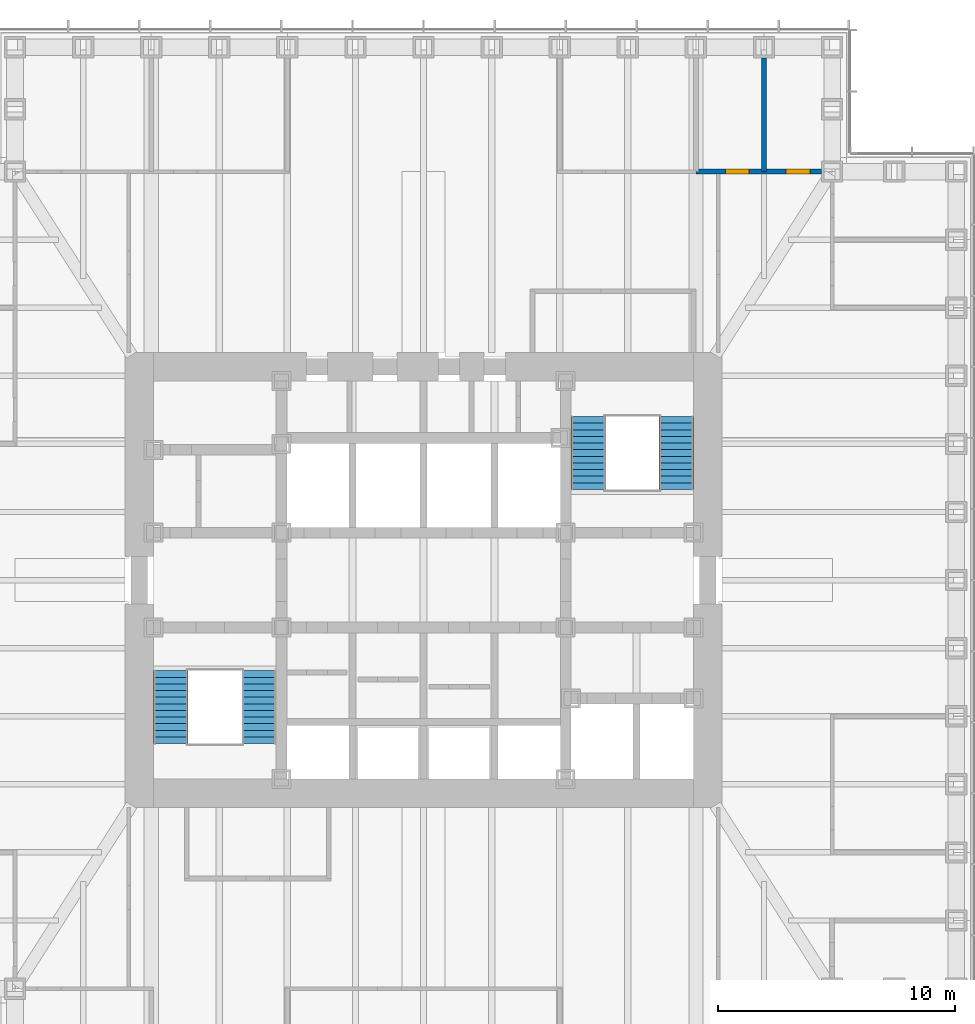
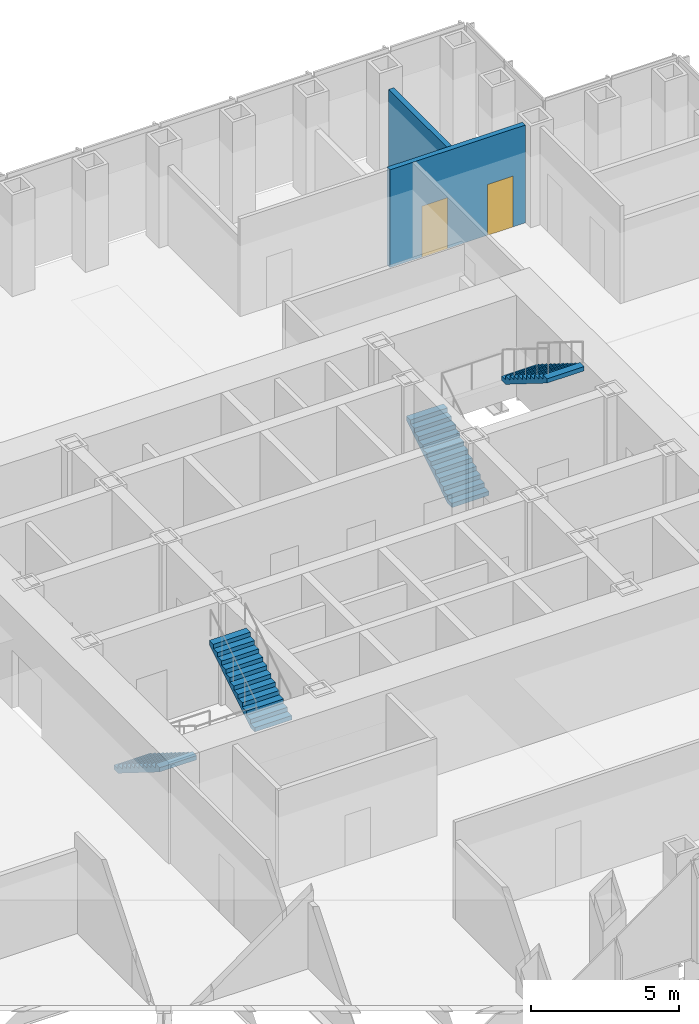
# One storey, part 11 of 17: 4 stair flights, 2 doors, 2 walls, 2 openings, 2 elements without a shape of their own.
"""IFC4 building model written with IfcOpenShell, lengths in metres."""

import ifcopenshell
import ifcopenshell.guid

model = None  # the IFC model being written
_history = None  # IfcOwnerHistory: only IFC2X3 demands one
_inside = {}  # id of a spatial element -> (the spatial element, [elements in it])
_under = {}  # id of a project, library or spatial element -> (it, [spatial elements below it])
_declared = {}  # id of a project -> (the project, [libraries it declares])
_typed = {}  # id of a type object -> (the type object, [elements of that type])
_made_of = {}  # id of a material, layer set ... -> (it, [elements and type objects made of it])


def new_model(schema):
    """Start an empty IFC model of exactly this schema.

    Asked for "IFC4X3", IfcOpenShell would pick the latest addendum, in which some entities
    have other attributes; the version numbers below select the first issue.
    IFC2X3 requires an IfcOwnerHistory on every rooted entity: one is made here for all.
    """
    global model, _history
    if schema == "IFC4X3":
        model = ifcopenshell.file(schema_version=(4, 3, 0, 0))
    else:
        model = ifcopenshell.file(schema=schema)
    _inside.clear()
    _under.clear()
    _declared.clear()
    _typed.clear()
    _made_of.clear()
    _history = None
    if model.schema == "IFC2X3":
        org = make("IfcOrganization", Name="unknown")
        user = make(
            "IfcPersonAndOrganization",
            ThePerson=make("IfcPerson", FamilyName="unknown"),
            TheOrganization=org,
        )
        app = make(
            "IfcApplication",
            ApplicationDeveloper=org,
            Version="unknown",
            ApplicationFullName="unknown",
            ApplicationIdentifier="unknown",
        )
        _history = make(
            "IfcOwnerHistory",
            OwningUser=user,
            OwningApplication=app,
            ChangeAction="ADDED",
            CreationDate=0,
        )
    return model


def make(cls, **values):
    """One entity of the class cls with the attributes given. An attribute that is None is left unset."""
    return model.create_entity(
        cls, **{name: value for name, value in values.items() if value is not None}
    )


def rooted(cls, **values):
    """An entity with a GlobalId (a new one), such as an element, a storey or a relation."""
    return make(cls, GlobalId=ifcopenshell.guid.new(), OwnerHistory=_history, **values)


def si_unit(unit_type, name, prefix=None):
    """IfcSIUnit, for example si_unit("LENGTHUNIT", "METRE", prefix="MILLI")."""
    return make("IfcSIUnit", UnitType=unit_type, Prefix=prefix, Name=name)


def assignment(units):
    """IfcUnitAssignment: the units of a project."""
    return None if units is None else make("IfcUnitAssignment", Units=units)


def point(xyz):
    """IfcCartesianPoint."""
    return None if xyz is None else make("IfcCartesianPoint", Coordinates=xyz)


def direction(xyz):
    """IfcDirection."""
    return None if xyz is None else make("IfcDirection", DirectionRatios=xyz)


def frame(location, z_axis=None, x_axis=None):
    """IfcAxis2Placement3D, a coordinate frame: its origin and axes. An axis left out is left unset."""
    return make(
        "IfcAxis2Placement3D",
        Location=point(location),
        Axis=direction(z_axis),
        RefDirection=direction(x_axis),
    )


def frame_2d(location, x_axis=None):
    """IfcAxis2Placement2D, a coordinate frame in the plane: its origin and x axis."""
    return make(
        "IfcAxis2Placement2D", Location=point(location), RefDirection=direction(x_axis)
    )


def origin():
    """The frame at (0, 0, 0) with its axes left unset."""
    return frame((0.0, 0.0, 0.0))


def place(relative_to, where):
    """IfcLocalPlacement: puts the frame where relative to a parent placement (None: the world)."""
    return make(
        "IfcLocalPlacement", PlacementRelTo=relative_to, RelativePlacement=where
    )


def context(
    kind, dimensions, precision=None, world=None, true_north=None, identifier=None
):
    """IfcGeometricRepresentationContext, for example the 3D "Model" context."""
    return make(
        "IfcGeometricRepresentationContext",
        ContextIdentifier=identifier,
        ContextType=kind,
        CoordinateSpaceDimension=dimensions,
        Precision=precision,
        WorldCoordinateSystem=world,
        TrueNorth=true_north,
    )


def subcontext(parent, identifier, kind, view, scale=None):
    """IfcGeometricRepresentationSubContext, for example "Body" below "Model"."""
    return make(
        "IfcGeometricRepresentationSubContext",
        ContextIdentifier=identifier,
        ContextType=kind,
        ParentContext=parent,
        TargetScale=scale,
        TargetView=view,
    )


def project(units=None, contexts=None):
    """IfcProject with its units and contexts."""
    return rooted(
        "IfcProject",
        Name="project",
        RepresentationContexts=contexts,
        UnitsInContext=assignment(units),
    )


def spatial(cls, under=None, at=None, **own):
    """A site, building, storey or space (cls), placed at a placement, below another one or the project."""
    s = rooted(cls, ObjectPlacement=at, **own)
    if under is not None:
        _under.setdefault(under.id(), (under, []))[1].append(s)
    return s


def polyline(points):
    """IfcPolyline through the points."""
    return make("IfcPolyline", Points=[point(p) for p in points])


def profile(cls, at=None, kind="AREA", **sizes):
    """A parametric profile (cls). Its sizes go by their IFC names, for example OverallWidth=200.0."""
    return make(cls, ProfileType=kind, Position=at, **sizes)


def rectangle(**sizes):
    """IfcRectangleProfileDef."""
    return profile("IfcRectangleProfileDef", **sizes)


def outline(outer, holes=None, kind="AREA"):
    """IfcArbitraryClosedProfileDef: a profile drawn as a closed curve; with holes, ...WithVoids."""
    if holes is None:
        return make("IfcArbitraryClosedProfileDef", ProfileType=kind, OuterCurve=outer)
    return make(
        "IfcArbitraryProfileDefWithVoids",
        ProfileType=kind,
        OuterCurve=outer,
        InnerCurves=holes,
    )


def extrude(swept, where, along, depth):
    """IfcExtrudedAreaSolid: the profile swept, set in the frame where, extruded along a direction by depth."""
    return make(
        "IfcExtrudedAreaSolid",
        SweptArea=swept,
        Position=where,
        ExtrudedDirection=direction(along),
        Depth=depth,
    )


def shape(context_of_items, identifier, shape_type, items):
    """IfcShapeRepresentation: the items that make up one representation, for example the "Body"."""
    return make(
        "IfcShapeRepresentation",
        ContextOfItems=context_of_items,
        RepresentationIdentifier=identifier,
        RepresentationType=shape_type,
        Items=items,
    )


def material(Name=None, Category=None):
    """IfcMaterial."""
    return make("IfcMaterial", Name=Name, Category=Category)


def layer(
    of_material, thickness, ventilated=None, Name=None, Category=None, Priority=None
):
    """IfcMaterialLayer: one layer of a wall or slab, of a material (None: an air gap)."""
    return make(
        "IfcMaterialLayer",
        Material=of_material,
        LayerThickness=thickness,
        IsVentilated=ventilated,
        Name=Name,
        Category=Category,
        Priority=Priority,
    )


def layer_set(layers, Name=None):
    """IfcMaterialLayerSet."""
    return make("IfcMaterialLayerSet", MaterialLayers=layers, LayerSetName=Name)


def made_of(thing, what):
    """Note that an element or type object is made of a material, layer set ...; save() writes the relation."""
    if what is not None:
        _made_of.setdefault(what.id(), (what, []))[1].append(thing)
    return thing


def type_object(cls, material=None, **own):
    """A type object (cls), such as IfcWallType, which elements share."""
    return made_of(rooted(cls, **own), material)


def element(
    cls,
    number,
    at=None,
    inside=None,
    cuts=None,
    type_object=None,
    material=None,
    context=None,
    identifier="Body",
    shape_type=None,
    held_by="IfcProductDefinitionShape",
    body=None,
    shapes=None,
    **own,
):
    """One element of the class cls, such as IfcWall. Its Tag is "e" and its number.

    at: its placement. inside: the storey or other place that contains it. cuts: it is an
    opening in that element (IfcRelVoidsElement). A single representation is given by context,
    identifier, shape_type and body (its items); several are given by shapes. held_by: the class
    of the entity that holds the representations. save() writes the other relations.
    """
    e = rooted(cls, Tag="e%d" % number, ObjectPlacement=at, **own)
    if body is not None:
        shapes = [shape(context, identifier, shape_type, body)]
    if shapes is not None:
        e.Representation = make(held_by, Representations=shapes)
    if inside is not None:
        _inside.setdefault(inside.id(), (inside, []))[1].append(e)
    if cuts is not None:
        rooted(
            "IfcRelVoidsElement", RelatingBuildingElement=cuts, RelatedOpeningElement=e
        )
    if type_object is not None:
        _typed.setdefault(type_object.id(), (type_object, []))[1].append(e)
    return made_of(e, material)


def fill(opening, filler):
    """IfcRelFillsElement: the door or window that sits in an opening."""
    return rooted(
        "IfcRelFillsElement",
        RelatingOpeningElement=opening,
        RelatedBuildingElement=filler,
    )


def aggregate(whole, parts):
    """IfcRelAggregates: a whole, such as a stair, and the parts it consists of."""
    return rooted("IfcRelAggregates", RelatingObject=whole, RelatedObjects=parts)


def save(model, path):
    """Write the relations noted so far, then the file.

    IfcRelAggregates (storeys below a building ...), IfcRelContainedInSpatialStructure (elements
    in a storey), IfcRelDefinesByType, IfcRelAssociatesMaterial and IfcRelDeclares: one each for
    every whole, place, type object, material and project.
    """
    for whole, parts in _under.values():
        aggregate(whole, parts)
    for where, things in _inside.values():
        rooted(
            "IfcRelContainedInSpatialStructure",
            RelatedElements=things,
            RelatingStructure=where,
        )
    for kind, things in _typed.values():
        rooted("IfcRelDefinesByType", RelatedObjects=things, RelatingType=kind)
    for what, things in _made_of.values():
        rooted("IfcRelAssociatesMaterial", RelatedObjects=things, RelatingMaterial=what)
    for by, libraries in _declared.values():
        rooted("IfcRelDeclares", RelatingContext=by, RelatedDefinitions=libraries)
    model.write(path)


model = new_model("IFC4")

# Units and contexts
model_context = context("Model", 3, precision=1e-05, world=origin(), true_north=direction((0.0, 1.0)))
body_context = subcontext(model_context, "Body", "Model", "MODEL_VIEW")
ifc_project = project(units=[si_unit("LENGTHUNIT", "METRE"), si_unit("AREAUNIT", "SQUARE_METRE"), si_unit("VOLUMEUNIT", "CUBIC_METRE"), si_unit("PLANEANGLEUNIT", "RADIAN"), si_unit("MASSUNIT", "GRAM", prefix="KILO")], contexts=[model_context])

# Site, building, storey
site_placement = place(None, origin())
site = spatial("IfcSite", under=ifc_project, at=site_placement, CompositionType="ELEMENT")
building_placement = place(site_placement, origin())
building = spatial("IfcBuilding", under=site, at=building_placement, Name="Daluyong Arena Tower", CompositionType="ELEMENT")
storey_placement = place(building_placement, frame((0.0, 0.0, 150.10009765625)))
storey = spatial("IfcBuildingStorey", under=building, at=storey_placement, Name="L33", CompositionType="ELEMENT", Elevation=150.10009765625)

# Wall
ifc_material_1 = material(Name="Concrete block partition", Category="concrete")
ifc_layer = layer(ifc_material_1, 0.199951171875)
ifc_layer_set = layer_set([ifc_layer], Name="Concrete block partition")
wall_type = type_object("IfcWallType", Name="Partition 200", PredefinedType="PARTITIONING", material=ifc_layer_set)
wall_1_placement = place(storey_placement, frame((70.375, 97.25, 0.0), z_axis=(0.0, 0.0, 1.0), x_axis=(0.0, 1.0, 0.0)))
element("IfcWall", 1, at=wall_1_placement, inside=storey, type_object=wall_type, Name="partition at L33", PredefinedType="PARTITIONING", context=body_context, shape_type="SweptSolid", body=[
    extrude(rectangle(XDim=4.800048828125, YDim=0.199951171875, at=frame_2d((2.39990234375, 0.0))), origin(), (0.0, 0.0, 1.0), 3.427734375),
])

# Wall, openings, doors
wall_2_placement = place(storey_placement, frame((67.5, 97.25, 0.0), z_axis=(0.0, 0.0, 1.0), x_axis=(1.0, 0.0, 0.0)))
wall_2 = element("IfcWall", 2, at=wall_2_placement, inside=storey, type_object=wall_type, Name="partition at L33", PredefinedType="PARTITIONING", context=body_context, shape_type="SweptSolid", body=[
    extrude(rectangle(XDim=5.300048828125, YDim=0.199951171875, at=frame_2d((2.64990234375, 0.0))), origin(), (0.0, 0.0, 1.0), 4.039794921875),
])
opening_1_placement = place(wall_2_placement, frame((1.25, 0.0, 0.0)))
opening_1 = element("IfcOpeningElement", 3, at=opening_1_placement, cuts=wall_2, Name="Opening 33039", PredefinedType="OPENING", context=body_context, shape_type="SweptSolid", body=[
    extrude(rectangle(XDim=1.0, YDim=2.10009765625, at=frame_2d((0.5, 1.050048828125))), frame((0.0, 0.10986328125, 0.0), z_axis=(0.0, -1.0, 0.0), x_axis=(1.0, 0.0, 0.0)), (0.0, 0.0, 1.0), 0.219970703125),
])
opening_2_placement = place(wall_2_placement, frame((3.8125, 0.0, 0.0)))
opening_2 = element("IfcOpeningElement", 4, at=opening_2_placement, cuts=wall_2, Name="Opening 33040", PredefinedType="OPENING", context=body_context, shape_type="SweptSolid", body=[
    extrude(rectangle(XDim=1.0, YDim=2.10009765625, at=frame_2d((0.5, 1.050048828125))), frame((0.0, 0.10986328125, 0.0), z_axis=(0.0, -1.0, 0.0), x_axis=(1.0, 0.0, 0.0)), (0.0, 0.0, 1.0), 0.219970703125),
])
ifc_material_2 = material(Name="Timber door", Category="wood")
door_type = type_object("IfcDoorType", Name="Room door 1000", OperationType="SINGLE_SWING_LEFT", PredefinedType="DOOR", material=ifc_material_2)
door_1_placement = place(opening_1_placement, origin())
door_1 = element("IfcDoor", 5, at=door_1_placement, inside=storey, type_object=door_type, Name="copy room door 33039", OperationType="SINGLE_SWING_LEFT", OverallHeight=2.10009765625, OverallWidth=1.0, PredefinedType="DOOR", context=body_context, shape_type="SweptSolid", body=[
    extrude(rectangle(XDim=1.0, YDim=2.10009765625, at=frame_2d((0.5, 1.050048828125))), frame((0.0, 0.099609375, 0.0), z_axis=(0.0, -1.0, 0.0), x_axis=(1.0, 0.0, 0.0)), (0.0, 0.0, 1.0), 0.199462890625),
])
fill(opening_1, door_1)
door_2_placement = place(opening_2_placement, origin())
door_2 = element("IfcDoor", 6, at=door_2_placement, inside=storey, type_object=door_type, Name="quiet room door 33040", OperationType="SINGLE_SWING_LEFT", OverallHeight=2.10009765625, OverallWidth=1.0, PredefinedType="DOOR", context=body_context, shape_type="SweptSolid", body=[
    extrude(rectangle(XDim=1.0, YDim=2.10009765625, at=frame_2d((0.5, 1.050048828125))), frame((0.0, 0.099609375, 0.0), z_axis=(0.0, -1.0, 0.0), x_axis=(1.0, 0.0, 0.0)), (0.0, 0.0, 1.0), 0.199462890625),
])
fill(opening_2, door_2)

# Stair, stair flights
ifc_material_3 = material(Name="Concrete fc' 35 MPa", Category="concrete")
stair_type = type_object("IfcStairType", Name="Core exit stair", PredefinedType="HALF_TURN_STAIR", material=ifc_material_3)
stair_1_placement = place(storey_placement, origin())
stair_1 = element("IfcStair", 7, at=stair_1_placement, inside=storey, type_object=stair_type, Name="exit stair A L33", PredefinedType="HALF_TURN_STAIR")
ifc_material_4 = material(Name="Concrete fc' 35 MPa", Category="concrete")
stair_flight_type = type_object("IfcStairFlightType", Name="Core stair flight", PredefinedType="STRAIGHT", material=ifc_material_4)
stair_flight_1_placement = place(storey_placement, frame((45.324951171875, 76.175048828125, 0.0), z_axis=(0.0, 0.0, 1.0), x_axis=(0.0, -1.0, 0.0)))
stair_flight_1 = element("IfcStairFlight", 8, at=stair_flight_1_placement, type_object=stair_flight_type, Name="STA flight 1", NumberOfRisers=12, NumberOfTreads=11, PredefinedType="STRAIGHT", RiserHeight=0.175, TreadLength=0.28, context=body_context, shape_type="SweptSolid", body=[
    extrude(outline(polyline([(0.0, 0.0), (0.0, 0.175048828125), (0.280029296875, 0.175048828125), (0.280029296875, 0.35009765625), (0.56005859375, 0.35009765625), (0.56005859375, 0.52490234375), (0.840087890625, 0.52490234375), (0.840087890625, 0.699951171875), (1.1201171875, 0.699951171875), (1.1201171875, 0.875), (1.39990234375, 0.875), (1.39990234375, 1.050048828125), (1.679931640625, 1.050048828125), (1.679931640625, 1.22509765625), (1.9599609375, 1.22509765625), (1.9599609375, 1.39990234375), (2.239990234375, 1.39990234375), (2.239990234375, 1.574951171875), (2.52001953125, 1.574951171875), (2.52001953125, 1.75), (2.800048828125, 1.75), (2.800048828125, 1.925048828125), (3.080078125, 1.925048828125), (3.080078125, 2.10009765625), (3.080078125, 1.748291015625), (0.28271484375, 0.0), (0.0, 0.0)])), frame((0.0, 0.72509765625, 0.0), z_axis=(0.0, -1.0, 0.0), x_axis=(1.0, 0.0, 0.0)), (0.0, 0.0, 1.0), 1.449951171875),
])
stair_flight_2_placement = place(storey_placement, frame((49.050048828125, 73.094970703125, 2.099853515625), z_axis=(0.0, 0.0, 1.0), x_axis=(0.0, 1.0, 0.0)))
stair_flight_2 = element("IfcStairFlight", 9, at=stair_flight_2_placement, type_object=stair_flight_type, Name="STA flight 2", NumberOfRisers=12, NumberOfTreads=11, PredefinedType="STRAIGHT", RiserHeight=0.175, TreadLength=0.28, context=body_context, shape_type="SweptSolid", body=[
    extrude(outline(polyline([(0.0, 0.0), (0.0, 0.175048828125), (0.280029296875, 0.175048828125), (0.280029296875, 0.35009765625), (0.56005859375, 0.35009765625), (0.56005859375, 0.52490234375), (0.840087890625, 0.52490234375), (0.840087890625, 0.699951171875), (1.1201171875, 0.699951171875), (1.1201171875, 0.875), (1.39990234375, 0.875), (1.39990234375, 1.050048828125), (1.679931640625, 1.050048828125), (1.679931640625, 1.22509765625), (1.9599609375, 1.22509765625), (1.9599609375, 1.39990234375), (2.239990234375, 1.39990234375), (2.239990234375, 1.574951171875), (2.52001953125, 1.574951171875), (2.52001953125, 1.75), (2.800048828125, 1.75), (2.800048828125, 1.925048828125), (3.080078125, 1.925048828125), (3.080078125, 2.10009765625), (3.080078125, 1.748291015625), (0.28271484375, 0.0), (0.0, 0.0)])), frame((0.0, 0.72509765625, 0.0), z_axis=(0.0, -1.0, 0.0), x_axis=(1.0, 0.0, 0.0)), (0.0, 0.0, 1.0), 1.449951171875),
])
aggregate(stair_1, [stair_flight_1, stair_flight_2])

stair_2_placement = place(storey_placement, origin())
stair_2 = element("IfcStair", 10, at=stair_2_placement, inside=storey, type_object=stair_type, Name="exit stair B L33", PredefinedType="HALF_TURN_STAIR")
stair_flight_3_placement = place(storey_placement, frame((62.949951171875, 83.824951171875, 0.0), z_axis=(0.0, 0.0, 1.0), x_axis=(0.0, 1.0, 0.0)))
stair_flight_3 = element("IfcStairFlight", 11, at=stair_flight_3_placement, type_object=stair_flight_type, Name="STB flight 1", NumberOfRisers=12, NumberOfTreads=11, PredefinedType="STRAIGHT", RiserHeight=0.175, TreadLength=0.28, context=body_context, shape_type="SweptSolid", body=[
    extrude(outline(polyline([(0.0, 0.0), (0.0, 0.175048828125), (0.280029296875, 0.175048828125), (0.280029296875, 0.35009765625), (0.56005859375, 0.35009765625), (0.56005859375, 0.52490234375), (0.840087890625, 0.52490234375), (0.840087890625, 0.699951171875), (1.1201171875, 0.699951171875), (1.1201171875, 0.875), (1.39990234375, 0.875), (1.39990234375, 1.050048828125), (1.679931640625, 1.050048828125), (1.679931640625, 1.22509765625), (1.9599609375, 1.22509765625), (1.9599609375, 1.39990234375), (2.239990234375, 1.39990234375), (2.239990234375, 1.574951171875), (2.52001953125, 1.574951171875), (2.52001953125, 1.75), (2.800048828125, 1.75), (2.800048828125, 1.925048828125), (3.080078125, 1.925048828125), (3.080078125, 2.10009765625), (3.080078125, 1.748291015625), (0.28271484375, 0.0), (0.0, 0.0)])), frame((0.0, 0.72509765625, 0.0), z_axis=(0.0, -1.0, 0.0), x_axis=(1.0, 0.0, 0.0)), (0.0, 0.0, 1.0), 1.449951171875),
])
stair_flight_4_placement = place(storey_placement, frame((66.675048828125, 86.905029296875, 2.099853515625), z_axis=(0.0, 0.0, 1.0), x_axis=(0.0, -1.0, 0.0)))
stair_flight_4 = element("IfcStairFlight", 12, at=stair_flight_4_placement, type_object=stair_flight_type, Name="STB flight 2", NumberOfRisers=12, NumberOfTreads=11, PredefinedType="STRAIGHT", RiserHeight=0.175, TreadLength=0.28, context=body_context, shape_type="SweptSolid", body=[
    extrude(outline(polyline([(0.0, 0.0), (0.0, 0.175048828125), (0.280029296875, 0.175048828125), (0.280029296875, 0.35009765625), (0.56005859375, 0.35009765625), (0.56005859375, 0.52490234375), (0.840087890625, 0.52490234375), (0.840087890625, 0.699951171875), (1.1201171875, 0.699951171875), (1.1201171875, 0.875), (1.39990234375, 0.875), (1.39990234375, 1.050048828125), (1.679931640625, 1.050048828125), (1.679931640625, 1.22509765625), (1.9599609375, 1.22509765625), (1.9599609375, 1.39990234375), (2.239990234375, 1.39990234375), (2.239990234375, 1.574951171875), (2.52001953125, 1.574951171875), (2.52001953125, 1.75), (2.800048828125, 1.75), (2.800048828125, 1.925048828125), (3.080078125, 1.925048828125), (3.080078125, 2.10009765625), (3.080078125, 1.748291015625), (0.28271484375, 0.0), (0.0, 0.0)])), frame((0.0, 0.72509765625, 0.0), z_axis=(0.0, -1.0, 0.0), x_axis=(1.0, 0.0, 0.0)), (0.0, 0.0, 1.0), 1.449951171875),
])
aggregate(stair_2, [stair_flight_3, stair_flight_4])

save(model, "model.ifc")
